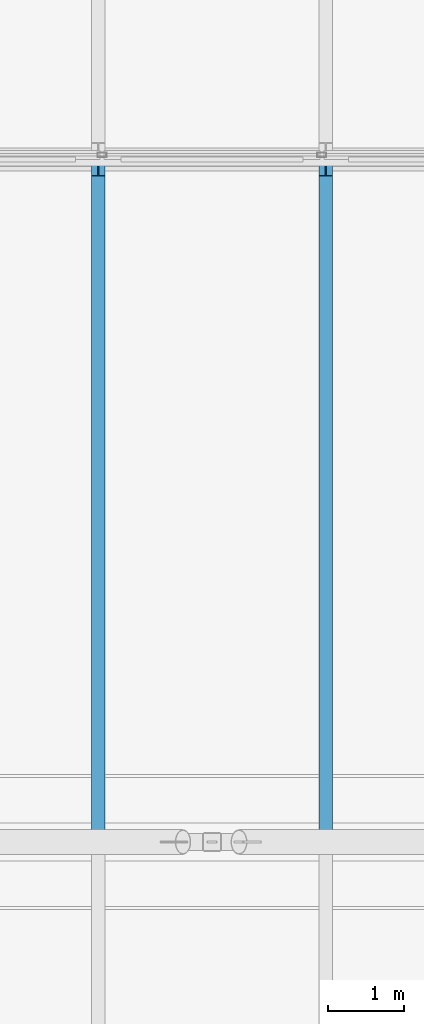
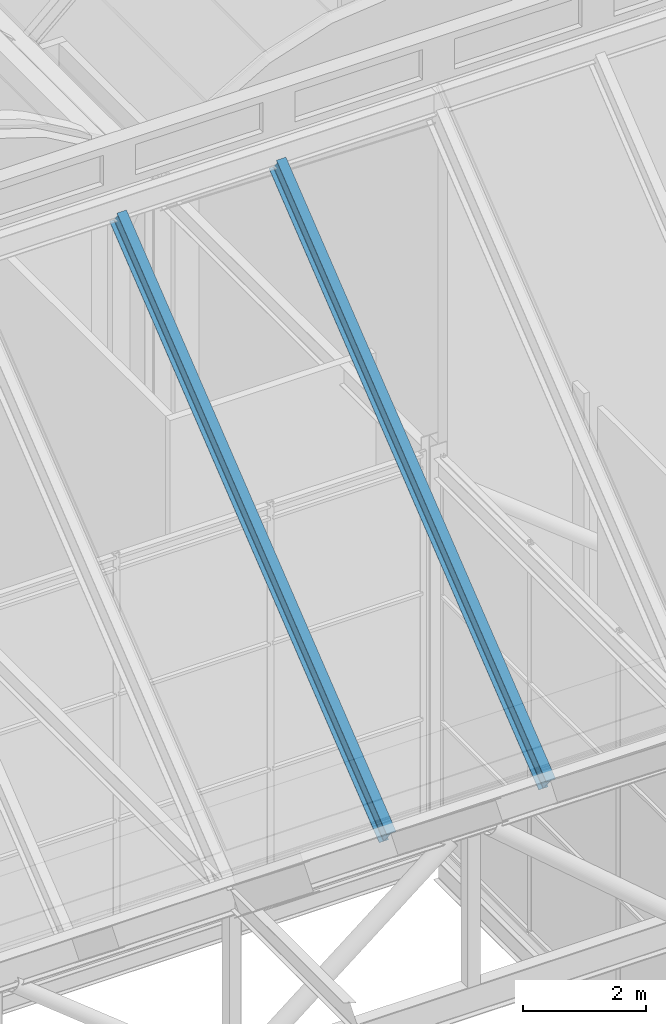
# One storey, part 80 of 144: 2 members.
"""IFC4 building model written with IfcOpenShell, lengths in metres."""

from ifc_helpers import new_model, si_unit, direction, frame, origin, origin_2d, place, context, subcontext, project, spatial, i_section, extrude, material, material_profile, profile_set, type_object, element, save


model = new_model("IFC4")

# Units and contexts
model_context = context("Model", 3, precision=1e-05, world=origin(), true_north=direction((0.0, 1.0)))
body_context = subcontext(model_context, "Body", "Model", "MODEL_VIEW")
ifc_project = project(units=[si_unit("LENGTHUNIT", "METRE"), si_unit("AREAUNIT", "SQUARE_METRE"), si_unit("VOLUMEUNIT", "CUBIC_METRE"), si_unit("PLANEANGLEUNIT", "RADIAN"), si_unit("MASSUNIT", "GRAM", prefix="KILO")], contexts=[model_context])

# Site, building, storey
site_placement = place(None, origin())
site = spatial("IfcSite", under=ifc_project, at=site_placement, CompositionType="ELEMENT")
building_placement = place(site_placement, origin())
building = spatial("IfcBuilding", under=site, at=building_placement, Name="Shorebreak Coast Museum", CompositionType="ELEMENT")
storey_placement = place(building_placement, frame((0.0, 0.0, 36.0)))
storey = spatial("IfcBuildingStorey", under=building, at=storey_placement, Name="L06", CompositionType="ELEMENT", Elevation=36.0)

# Members
ifc_material = material(Name="Steel Grade 300", Category="steel")
ifc_material_profile = material_profile(ifc_material, i_section(OverallWidth=0.177978515625, OverallDepth=0.402587890625, WebThickness=0.007568359375, FlangeThickness=0.010986328125, FilletRadius=0.011474609375, at=origin_2d()), Name="410UB53.7")
ifc_profile_set = profile_set([ifc_material_profile], Name="Steel Grade 300")
member_type = type_object("IfcMemberType", Name="Fold rafter 410UB53.7", PredefinedType="RAFTER", material=ifc_profile_set)
for number, where, z_axis, x_axis, name in (
    (1, (102.0, 80.905029296875, 14.610107421875), (0.0, -0.780866693621, -0.624697692322), (1.0, 0.0, 0.0), "Fold rafter FOLD-X line 3 17"),
    (2, (105.0, 80.905029296875, 14.610107421875), (0.0, -0.780866693621, -0.624697692322), (1.0, 0.0, 0.0), "Fold rafter FOLD-X line 3 18"),
):
    element("IfcMember", number, at=place(storey_placement, frame(where, z_axis=z_axis, x_axis=x_axis)), inside=storey, type_object=member_type, Name=name, PredefinedType="RAFTER", context=body_context, shape_type="SweptSolid", body=[
        extrude(i_section(OverallWidth=0.177978515625, OverallDepth=0.402587890625, WebThickness=0.007568359375, FlangeThickness=0.010986328125, FilletRadius=0.011474609375, at=origin_2d()), origin(), (0.0, 0.0, 1.0), 11.25732421875),
    ])

save(model, "model.ifc")
